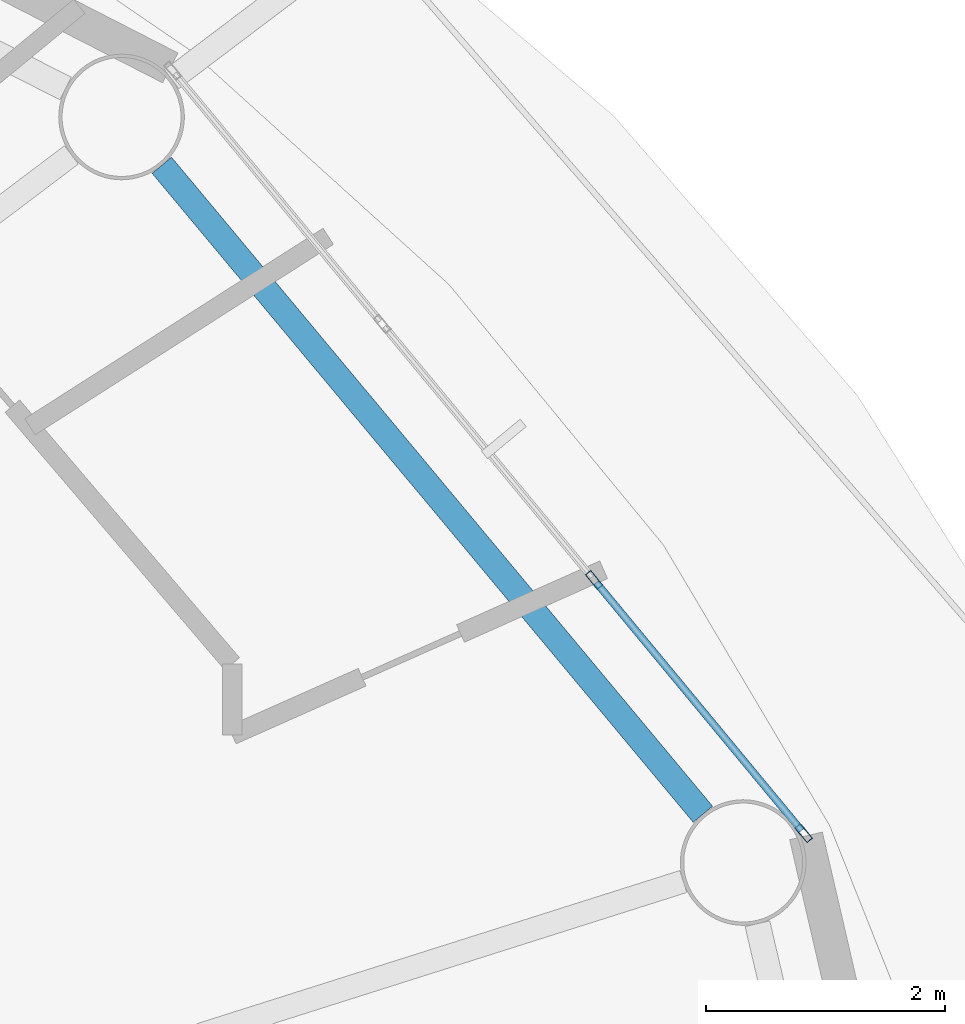
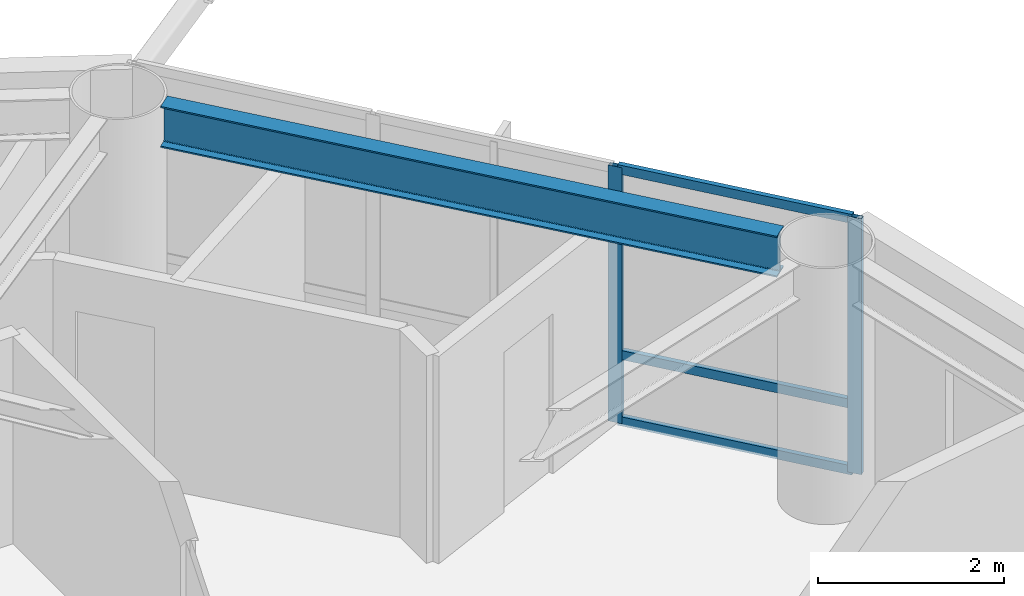
# One storey, part 7 of 23: 5 members, 1 beam, 1 element without a shape of its own.
"""IFC4 building model written with IfcOpenShell, lengths in metres."""

from ifc_helpers import new_model, si_unit, direction, frame, origin, origin_2d, place, context, subcontext, project, spatial, hollow_rectangle, i_section, extrude, material, layer, layer_set, material_profile, profile_set, type_object, element, aggregate, save


model = new_model("IFC4")

# Units and contexts
model_context = context("Model", 3, precision=1e-05, world=origin(), true_north=direction((0.0, 1.0)))
body_context = subcontext(model_context, "Body", "Model", "MODEL_VIEW")
ifc_project = project(units=[si_unit("LENGTHUNIT", "METRE"), si_unit("AREAUNIT", "SQUARE_METRE"), si_unit("VOLUMEUNIT", "CUBIC_METRE"), si_unit("PLANEANGLEUNIT", "RADIAN"), si_unit("MASSUNIT", "GRAM", prefix="KILO")], contexts=[model_context])

# Site, building, storey
site_placement = place(None, origin())
site = spatial("IfcSite", under=ifc_project, at=site_placement, CompositionType="ELEMENT")
building_placement = place(site_placement, origin())
building = spatial("IfcBuilding", under=site, at=building_placement, Name="Sarneth Arch Tower", CompositionType="ELEMENT")
storey_placement = place(building_placement, frame((0.0, 0.0, 249.60009765625)))
storey = spatial("IfcBuildingStorey", under=building, at=storey_placement, Name="L64", CompositionType="ELEMENT", Elevation=249.60009765625)

# Beam
ifc_material_1 = material(Name="Steel S355", Category="steel")
ifc_material_profile_1 = material_profile(ifc_material_1, i_section(OverallWidth=0.2109375, OverallDepth=0.5390625, WebThickness=0.01171875, FlangeThickness=0.018798828125, FilletRadius=0.01806640625, at=origin_2d()), Name="W530x109")
ifc_profile_set_1 = profile_set([ifc_material_profile_1], Name="Steel S355")
beam_type = type_object("IfcBeamType", Name="BM-RAD-530B", PredefinedType="BEAM", material=ifc_profile_set_1)
beam_placement = place(storey_placement, frame((70.83251953125, 49.750732421875, 3.09033203125), z_axis=(-0.640364654985, 0.76807103099, 0.0), x_axis=(-0.76807103099, -0.640364654985, 0.0)))
element("IfcBeam", 1, at=beam_placement, inside=storey, type_object=beam_type, Name="L64 Perimeter spandrel beam 02", PredefinedType="BEAM", context=body_context, shape_type="SweptSolid", body=[
    extrude(i_section(OverallWidth=0.2109375, OverallDepth=0.5390625, WebThickness=0.01171875, FlangeThickness=0.018798828125, FilletRadius=0.01806640625, at=origin_2d()), origin(), (0.0, 0.0, 1.0), 7.06005859375),
])

# Curtain wall, members
ifc_material_2 = material(Name="Anodised aluminium Type AA25 and solar-control low-e laminated IGU", Category="aluminium")
ifc_layer = layer(ifc_material_2, 0.179931640625)
ifc_layer_set = layer_set([ifc_layer], Name="Anodised aluminium Type AA25 and solar-control low-e laminated IGU")
curtain_wall_type = type_object("IfcCurtainWallType", Name="CW-RES-HIGH", PredefinedType="NOTDEFINED", material=ifc_layer_set)
curtain_wall_placement = place(storey_placement, origin())
curtain_wall = element("IfcCurtainWall", 2, at=curtain_wall_placement, inside=storey, type_object=curtain_wall_type, Name="L64 Unitised curtain wall facet 02", PredefinedType="NOTDEFINED")
ifc_material_3 = material(Name="Anodised Aluminium 6063-T6", Category="aluminium")
ifc_material_profile_2 = material_profile(ifc_material_3, hollow_rectangle(XDim=0.06005859375, YDim=0.159912109375, WallThickness=0.00390625, at=origin_2d()), Name="AL-MULL-160x60x4")
ifc_profile_set_2 = profile_set([ifc_material_profile_2], Name="Anodised Aluminium 6063-T6")
member_type_1 = type_object("IfcMemberType", Name="CW-MULLION", PredefinedType="MULLION", material=ifc_profile_set_2)
member_1_placement = place(storey_placement, frame((71.674560546875, 49.592529296875, 0.0), z_axis=(0.0, 0.0, 1.0), x_axis=(-0.770359245933, -0.637610094184, 0.0)))
member_1 = element("IfcMember", 3, at=member_1_placement, type_object=member_type_1, Name="CW-SYS-6 mullion 1", PredefinedType="MULLION", context=body_context, shape_type="SweptSolid", body=[
    extrude(hollow_rectangle(XDim=0.06005859375, YDim=0.159912109375, WallThickness=0.00390625, at=origin_2d()), origin(), (0.0, 0.0, 1.0), 3.35986328125),
])
member_2_placement = place(storey_placement, frame((69.92333984375, 51.70849609375, 0.0), z_axis=(0.0, 0.0, 1.0), x_axis=(-0.770359245933, -0.637610094184, 0.0)))
member_2 = element("IfcMember", 4, at=member_2_placement, type_object=member_type_1, Name="CW-SYS-6 mullion 2", PredefinedType="MULLION", context=body_context, shape_type="SweptSolid", body=[
    extrude(hollow_rectangle(XDim=0.06005859375, YDim=0.159912109375, WallThickness=0.00390625, at=origin_2d()), origin(), (0.0, 0.0, 1.0), 3.35986328125),
])
ifc_material_4 = material(Name="Anodised Aluminium 6063-T6", Category="aluminium")
ifc_material_profile_3 = material_profile(ifc_material_4, hollow_rectangle(XDim=0.06005859375, YDim=0.1201171875, WallThickness=0.00390625, at=origin_2d()), Name="AL-TRAN-120x60x4")
ifc_profile_set_3 = profile_set([ifc_material_profile_3], Name="Anodised Aluminium 6063-T6")
member_type_2 = type_object("IfcMemberType", Name="CW-TRANSOM", PredefinedType="USERDEFINED", material=ifc_profile_set_3)
member_3_placement = place(storey_placement, frame((71.655517578125, 49.61572265625, 0.02978515625), z_axis=(-0.637651400067, 0.770325056059, 0.0), x_axis=(-0.770325056059, -0.637651400067, 0.0)))
member_3 = element("IfcMember", 5, at=member_3_placement, type_object=member_type_2, Name="CW-SYS-6 transom 1.1", ObjectType="TRANSOM", PredefinedType="USERDEFINED", context=body_context, shape_type="SweptSolid", body=[
    extrude(hollow_rectangle(XDim=0.06005859375, YDim=0.1201171875, WallThickness=0.00390625, at=origin_2d()), origin(), (0.0, 0.0, 1.0), 2.6865234375),
])
member_4_placement = place(storey_placement, frame((71.655517578125, 49.61572265625, 0.89990234375), z_axis=(-0.637651400067, 0.770325056059, 0.0), x_axis=(-0.770325056059, -0.637651400067, 0.0)))
member_4 = element("IfcMember", 6, at=member_4_placement, type_object=member_type_2, Name="CW-SYS-6 transom 1.2", ObjectType="TRANSOM", PredefinedType="USERDEFINED", context=body_context, shape_type="SweptSolid", body=[
    extrude(hollow_rectangle(XDim=0.06005859375, YDim=0.1201171875, WallThickness=0.00390625, at=origin_2d()), origin(), (0.0, 0.0, 1.0), 2.6865234375),
])
member_5_placement = place(storey_placement, frame((71.655517578125, 49.61572265625, 3.329833984375), z_axis=(-0.637651400067, 0.770325056059, 0.0), x_axis=(-0.770325056059, -0.637651400067, 0.0)))
member_5 = element("IfcMember", 7, at=member_5_placement, type_object=member_type_2, Name="CW-SYS-6 transom 1.3", ObjectType="TRANSOM", PredefinedType="USERDEFINED", context=body_context, shape_type="SweptSolid", body=[
    extrude(hollow_rectangle(XDim=0.06005859375, YDim=0.1201171875, WallThickness=0.00390625, at=origin_2d()), origin(), (0.0, 0.0, 1.0), 2.6865234375),
])
aggregate(curtain_wall, [member_1, member_2, member_3, member_4, member_5])

save(model, "model.ifc")
